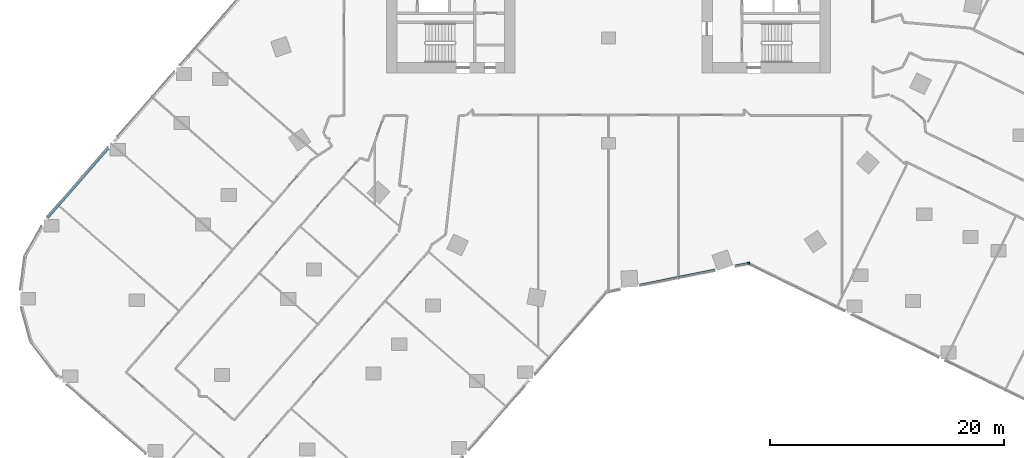
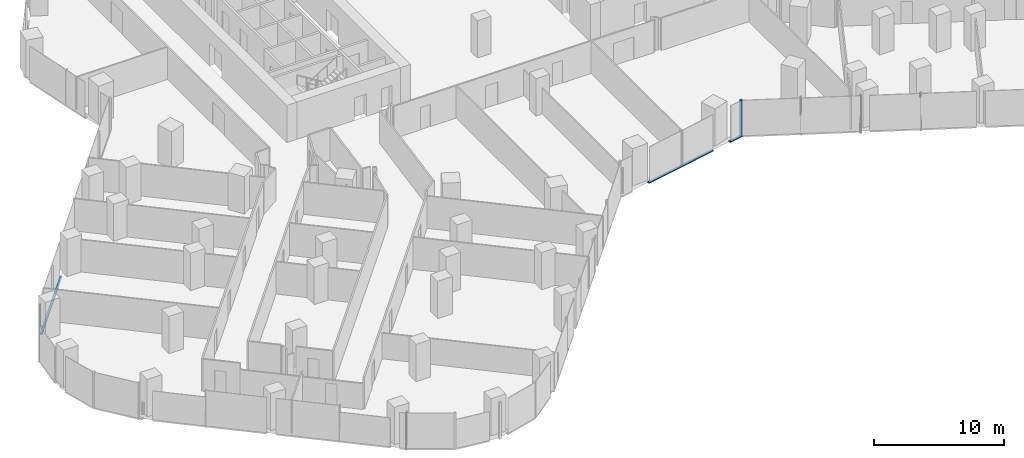
# One storey, part 5 of 38: 4 members, 2 elements without a shape of their own.
"""IFC4 building model written with IfcOpenShell, lengths in metres."""

from ifc_helpers import new_model, si_unit, direction, frame, origin, origin_2d, place, context, subcontext, project, spatial, rectangle, extrude, material, material_profile, profile_set, type_object, element, aggregate, save


model = new_model("IFC4")

# Units and contexts
model_context = context("Model", 3, precision=1e-05, world=origin(), true_north=direction((0.0, 1.0)))
body_context = subcontext(model_context, "Body", "Model", "MODEL_VIEW")
ifc_project = project(units=[si_unit("LENGTHUNIT", "METRE"), si_unit("AREAUNIT", "SQUARE_METRE"), si_unit("VOLUMEUNIT", "CUBIC_METRE"), si_unit("PLANEANGLEUNIT", "RADIAN"), si_unit("MASSUNIT", "GRAM", prefix="KILO")], contexts=[model_context])

# Site, building, storey
site_placement = place(None, origin())
site = spatial("IfcSite", under=ifc_project, at=site_placement, CompositionType="ELEMENT")
building_placement = place(site_placement, origin())
building = spatial("IfcBuilding", under=site, at=building_placement, Name="Orlundy Tower", CompositionType="ELEMENT")
storey_placement = place(building_placement, frame((0.0, 0.0, 72.800048828125)))
storey = spatial("IfcBuildingStorey", under=building, at=storey_placement, Name="L17", CompositionType="ELEMENT", Elevation=72.800048828125)

# Curtain wall, members
ifc_material_1 = material(Name="Aluminium bronze anodised", Category="aluminium")
curtain_wall_type = type_object("IfcCurtainWallType", Name="CW1 wall", PredefinedType="NOTDEFINED", material=ifc_material_1)
curtain_wall_1_placement = place(storey_placement, origin())
curtain_wall_1 = element("IfcCurtainWall", 1, at=curtain_wall_1_placement, inside=storey, type_object=curtain_wall_type, Name="CW1 run 01", PredefinedType="NOTDEFINED")
ifc_material_2 = material(Name="Aluminium bronze anodised", Category="aluminium")
ifc_material_profile_1 = material_profile(ifc_material_2, rectangle(XDim=0.179931640625, YDim=0.179931640625, at=origin_2d()), Name="CW1 corner post 180x180")
ifc_profile_set_1 = profile_set([ifc_material_profile_1], Name="Aluminium bronze anodised")
member_type_1 = type_object("IfcMemberType", Name="CW1 corner post 180x180", PredefinedType="MULLION", material=ifc_profile_set_1)
member_1_placement = place(storey_placement, frame((12.004638671875, -28.2822265625, -0.400146484375), z_axis=(0.0, 0.0, 1.0), x_axis=(0.196531950572, -0.980497420907, 0.0)))
member_1 = element("IfcMember", 2, at=member_1_placement, type_object=member_type_1, Name="CW1 mullion 7", PredefinedType="MULLION", context=body_context, shape_type="SweptSolid", body=[
    extrude(rectangle(XDim=0.179931640625, YDim=0.179931640625, at=origin_2d()), origin(), (0.0, 0.0, 1.0), 3.4501953125),
])
ifc_material_3 = material(Name="Aluminium bronze anodised", Category="aluminium")
ifc_material_profile_2 = material_profile(ifc_material_3, rectangle(XDim=0.179931640625, YDim=0.1201171875, at=origin_2d()), Name="CW1 transom 180x120")
ifc_profile_set_2 = profile_set([ifc_material_profile_2], Name="Aluminium bronze anodised")
member_type_2 = type_object("IfcMemberType", Name="CW1 transom 180x120", PredefinedType="USERDEFINED", material=ifc_profile_set_2)
member_2_placement = place(storey_placement, frame((11.91650390625, -28.300048828125, -0.340087890625), z_axis=(-0.980512926843, -0.19645457565, 0.0), x_axis=(0.19645457565, -0.980512926843, 0.0)))
member_2 = element("IfcMember", 3, at=member_2_placement, type_object=member_type_2, Name="CW1 transom", ObjectType="TRANSOM", PredefinedType="USERDEFINED", context=body_context, shape_type="SweptSolid", body=[
    extrude(rectangle(XDim=0.179931640625, YDim=0.1201171875, at=origin_2d()), origin(), (0.0, 0.0, 1.0), 1.10986328125),
])
member_3_placement = place(storey_placement, frame((9.145751953125, -28.855224609375, -0.340087890625), z_axis=(-0.980497994335, -0.196529089719, 0.0), x_axis=(0.196529089719, -0.980497994335, 0.0)))
member_3 = element("IfcMember", 4, at=member_3_placement, type_object=member_type_2, Name="CW1 transom", ObjectType="TRANSOM", PredefinedType="USERDEFINED", context=body_context, shape_type="SweptSolid", body=[
    extrude(rectangle(XDim=0.179931640625, YDim=0.1201171875, at=origin_2d()), origin(), (0.0, 0.0, 1.0), 6.593994140625),
])
aggregate(curtain_wall_1, [member_1, member_2, member_3])

# Curtain wall, member
curtain_wall_2_placement = place(storey_placement, origin())
curtain_wall_2 = element("IfcCurtainWall", 5, at=curtain_wall_2_placement, inside=storey, type_object=curtain_wall_type, Name="CW1 run 012", PredefinedType="NOTDEFINED")
member_4_placement = place(storey_placement, frame((-47.999267578125, -24.373046875, -0.340087890625), z_axis=(0.658259054691, 0.752791483026, 0.0), x_axis=(-0.752791483026, 0.658259054691, 0.0)))
member_4 = element("IfcMember", 6, at=member_4_placement, type_object=member_type_2, Name="CW1 transom", ObjectType="TRANSOM", PredefinedType="USERDEFINED", context=body_context, shape_type="SweptSolid", body=[
    extrude(rectangle(XDim=0.179931640625, YDim=0.1201171875, at=origin_2d()), origin(), (0.0, 0.0, 1.0), 7.884765625),
])
aggregate(curtain_wall_2, [member_4])

save(model, "model.ifc")
